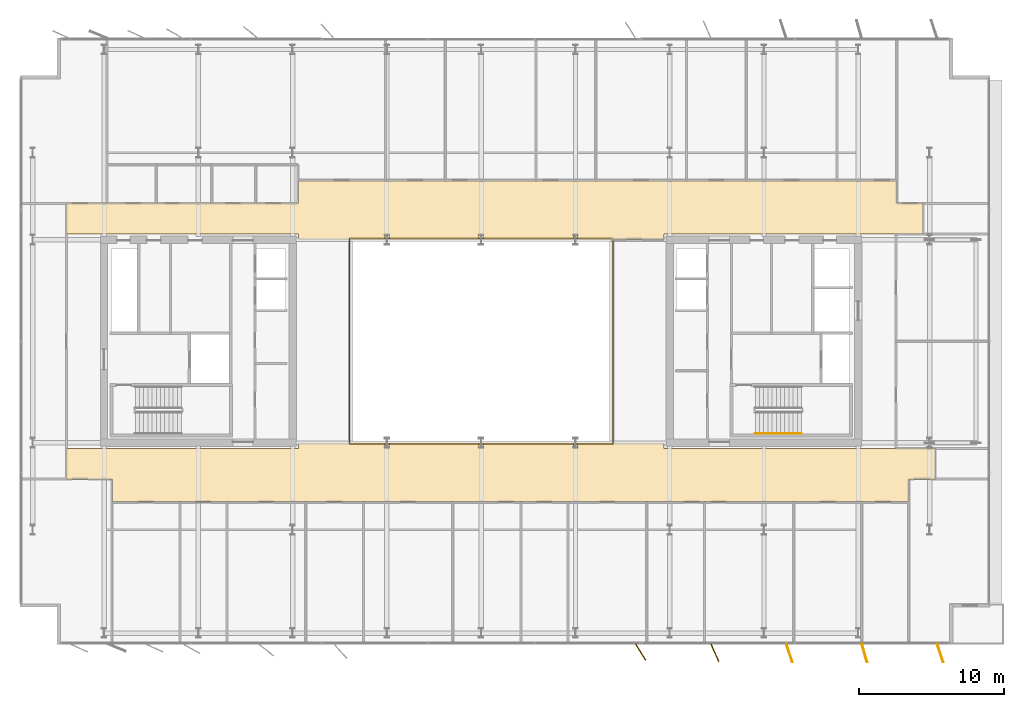
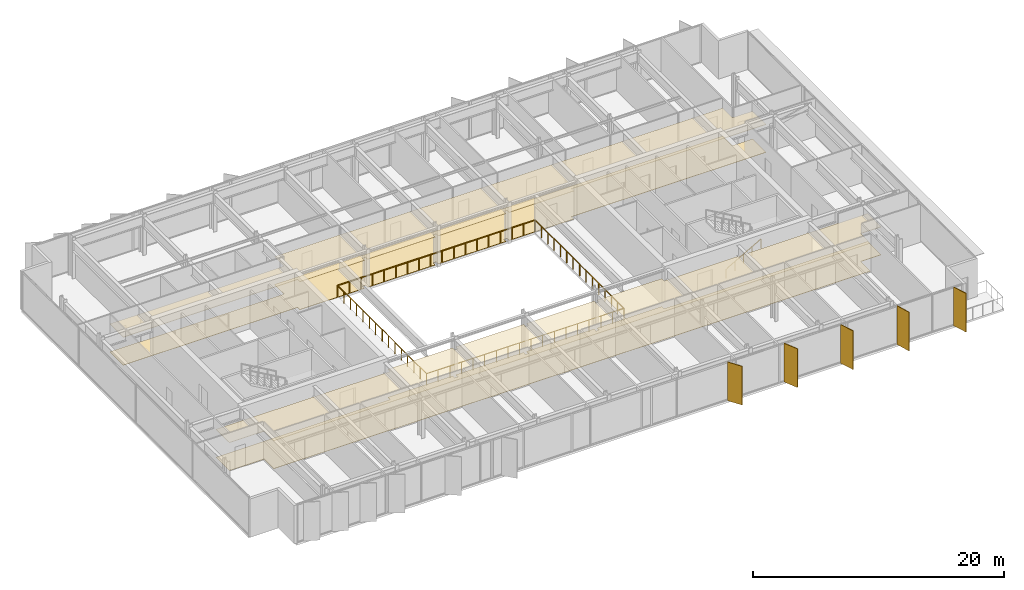
# One storey, part 18 of 20: 5 shading devices, 4 coverings, 3 railings.
"""IFC4 building model written with IfcOpenShell, lengths in metres."""

from ifc_helpers import new_model, si_unit, direction, frame, origin, origin_2d, place, context, subcontext, project, spatial, polyline, rectangle, circle, outline, extrude, material, layer, layer_set, type_object, element, save


model = new_model("IFC4")

# Units and contexts
model_context = context("Model", 3, precision=1e-05, world=origin(), true_north=direction((0.0, 1.0)))
body_context = subcontext(model_context, "Body", "Model", "MODEL_VIEW")
ifc_project = project(units=[si_unit("LENGTHUNIT", "METRE"), si_unit("AREAUNIT", "SQUARE_METRE"), si_unit("VOLUMEUNIT", "CUBIC_METRE"), si_unit("PLANEANGLEUNIT", "RADIAN"), si_unit("MASSUNIT", "GRAM", prefix="KILO")], contexts=[model_context])

# Site, building, storey
site_placement = place(None, origin())
site = spatial("IfcSite", under=ifc_project, at=site_placement, CompositionType="ELEMENT")
building_placement = place(site_placement, origin())
building = spatial("IfcBuilding", under=site, at=building_placement, Name="Putna Gate Headquarters", CompositionType="ELEMENT")
storey_placement = place(building_placement, frame((0.0, 0.0, 306.39990234375)))
storey = spatial("IfcBuildingStorey", under=building, at=storey_placement, Name="L77", CompositionType="ELEMENT", Elevation=306.39990234375)

# Coverings
ifc_material_1 = material(Name="Perforated mineral-fibre acoustic ceiling tile")
ifc_layer_1 = layer(ifc_material_1, 0.0400390625)
ifc_layer_set_1 = layer_set([ifc_layer_1], Name="Perforated mineral-fibre acoustic ceiling tile")
covering_type_1 = type_object("IfcCoveringType", Name="COV-ACOUSTIC-CEILING", PredefinedType="CEILING", material=ifc_layer_set_1)
covering_1_placement = place(storey_placement, frame((0.0, 0.0, 2.710205078125)))
element("IfcCovering", 1, at=covering_1_placement, inside=storey, type_object=covering_type_1, Name="L77 Acoustic Ceiling Covering 1", PredefinedType="CEILING", context=body_context, shape_type="SweptSolid", body=[
    extrude(outline(polyline([(45.360107421875, 33.285888671875), (45.339599609375, 33.285888671875), (45.339599609375, 33.342041015625), (45.660400390625, 33.342041015625), (45.660400390625, 33.285888671875), (45.639892578125, 33.285888671875), (45.639892578125, 33.02001953125), (51.60009765625, 33.02001953125), (51.60009765625, 33.3798828125), (69.4814453125, 33.3798828125), (69.4814453125, 35.52001953125), (67.62158203125, 35.52001953125), (67.62158203125, 37.06005859375), (26.39990234375, 37.06005859375), (26.39990234375, 35.52001953125), (10.3798828125, 35.52001953125), (10.3798828125, 33.3798828125), (26.39990234375, 33.3798828125), (26.39990234375, 33.02001953125), (32.360107421875, 33.02001953125), (32.360107421875, 33.285888671875), (32.339599609375, 33.285888671875), (32.339599609375, 33.342041015625), (32.660400390625, 33.342041015625), (32.660400390625, 33.285888671875), (32.639892578125, 33.285888671875), (32.639892578125, 33.02001953125), (38.860107421875, 33.02001953125), (38.860107421875, 33.285888671875), (38.839599609375, 33.285888671875), (38.839599609375, 33.342041015625), (39.160400390625, 33.342041015625), (39.160400390625, 33.285888671875), (39.139892578125, 33.285888671875), (39.139892578125, 33.02001953125), (45.360107421875, 33.02001953125), (45.360107421875, 33.285888671875)])), origin(), (0.0, 0.0, 1.0), 0.039794921875),
])
covering_2_placement = place(storey_placement, frame((0.0, 0.0, 2.710205078125)))
element("IfcCovering", 2, at=covering_2_placement, inside=storey, type_object=covering_type_1, Name="L77 Acoustic Ceiling Covering 2", PredefinedType="CEILING", context=body_context, shape_type="SweptSolid", body=[
    extrude(outline(polyline([(13.574951171875, 16.47998046875), (13.574951171875, 14.93994140625), (68.4501953125, 14.93994140625), (68.4501953125, 16.47998046875), (70.310302734375, 16.47998046875), (70.310302734375, 18.6201171875), (51.60009765625, 18.6201171875), (51.60009765625, 18.97998046875), (45.639892578125, 18.97998046875), (45.639892578125, 18.714111328125), (45.660400390625, 18.714111328125), (45.660400390625, 18.657958984375), (45.339599609375, 18.657958984375), (45.339599609375, 18.714111328125), (45.360107421875, 18.714111328125), (45.360107421875, 18.97998046875), (39.139892578125, 18.97998046875), (39.139892578125, 18.714111328125), (39.160400390625, 18.714111328125), (39.160400390625, 18.657958984375), (38.839599609375, 18.657958984375), (38.839599609375, 18.714111328125), (38.860107421875, 18.714111328125), (38.860107421875, 18.97998046875), (32.639892578125, 18.97998046875), (32.639892578125, 18.714111328125), (32.660400390625, 18.714111328125), (32.660400390625, 18.657958984375), (32.339599609375, 18.657958984375), (32.339599609375, 18.714111328125), (32.360107421875, 18.714111328125), (32.360107421875, 18.97998046875), (26.39990234375, 18.97998046875), (26.39990234375, 18.6201171875), (10.3798828125, 18.6201171875), (10.3798828125, 16.47998046875), (13.574951171875, 16.47998046875)])), origin(), (0.0, 0.0, 1.0), 0.039794921875),
])
ifc_material_2 = material(Name="Calcium-sulphate raised access floor finish")
ifc_layer_2 = layer(ifc_material_2, 0.030029296875)
ifc_layer_set_2 = layer_set([ifc_layer_2], Name="Calcium-sulphate raised access floor finish")
covering_type_2 = type_object("IfcCoveringType", Name="COV-RAISED-FLOORING", PredefinedType="FLOORING", material=ifc_layer_set_2)
covering_3_placement = place(storey_placement, origin())
element("IfcCovering", 3, at=covering_3_placement, inside=storey, type_object=covering_type_2, Name="L77 Raised Access Floor Covering 1", PredefinedType="FLOORING", context=body_context, shape_type="SweptSolid", body=[
    extrude(outline(polyline([(45.360107421875, 33.285888671875), (45.339599609375, 33.285888671875), (45.339599609375, 33.342041015625), (45.660400390625, 33.342041015625), (45.660400390625, 33.285888671875), (45.639892578125, 33.285888671875), (45.639892578125, 33.02001953125), (51.60009765625, 33.02001953125), (51.60009765625, 33.3798828125), (69.4814453125, 33.3798828125), (69.4814453125, 35.52001953125), (67.62158203125, 35.52001953125), (67.62158203125, 37.06005859375), (26.39990234375, 37.06005859375), (26.39990234375, 35.52001953125), (10.3798828125, 35.52001953125), (10.3798828125, 33.3798828125), (26.39990234375, 33.3798828125), (26.39990234375, 33.02001953125), (32.360107421875, 33.02001953125), (32.360107421875, 33.285888671875), (32.339599609375, 33.285888671875), (32.339599609375, 33.342041015625), (32.660400390625, 33.342041015625), (32.660400390625, 33.285888671875), (32.639892578125, 33.285888671875), (32.639892578125, 33.02001953125), (38.860107421875, 33.02001953125), (38.860107421875, 33.285888671875), (38.839599609375, 33.285888671875), (38.839599609375, 33.342041015625), (39.160400390625, 33.342041015625), (39.160400390625, 33.285888671875), (39.139892578125, 33.285888671875), (39.139892578125, 33.02001953125), (45.360107421875, 33.02001953125), (45.360107421875, 33.285888671875)])), origin(), (0.0, 0.0, 1.0), 0.030029296875),
])
covering_4_placement = place(storey_placement, origin())
element("IfcCovering", 4, at=covering_4_placement, inside=storey, type_object=covering_type_2, Name="L77 Raised Access Floor Covering 2", PredefinedType="FLOORING", context=body_context, shape_type="SweptSolid", body=[
    extrude(outline(polyline([(13.574951171875, 16.47998046875), (13.574951171875, 14.93994140625), (68.4501953125, 14.93994140625), (68.4501953125, 16.47998046875), (70.310302734375, 16.47998046875), (70.310302734375, 18.6201171875), (51.60009765625, 18.6201171875), (51.60009765625, 18.97998046875), (45.639892578125, 18.97998046875), (45.639892578125, 18.714111328125), (45.660400390625, 18.714111328125), (45.660400390625, 18.657958984375), (45.339599609375, 18.657958984375), (45.339599609375, 18.714111328125), (45.360107421875, 18.714111328125), (45.360107421875, 18.97998046875), (39.139892578125, 18.97998046875), (39.139892578125, 18.714111328125), (39.160400390625, 18.714111328125), (39.160400390625, 18.657958984375), (38.839599609375, 18.657958984375), (38.839599609375, 18.714111328125), (38.860107421875, 18.714111328125), (38.860107421875, 18.97998046875), (32.639892578125, 18.97998046875), (32.639892578125, 18.714111328125), (32.660400390625, 18.714111328125), (32.660400390625, 18.657958984375), (32.339599609375, 18.657958984375), (32.339599609375, 18.714111328125), (32.360107421875, 18.714111328125), (32.360107421875, 18.97998046875), (26.39990234375, 18.97998046875), (26.39990234375, 18.6201171875), (10.3798828125, 18.6201171875), (10.3798828125, 16.47998046875), (13.574951171875, 16.47998046875)])), origin(), (0.0, 0.0, 1.0), 0.030029296875),
])

# Railings
ifc_material_3 = material(Name="Anodised bronze and laminated glass atrium balustrade", Category="glass")
railing_type_1 = type_object("IfcRailingType", Name="RAIL-ATRIUM-GUARD-1150", PredefinedType="GUARDRAIL", material=ifc_material_3)
railing_1_placement = place(storey_placement, frame((29.919921875, 25.969970703125, 0.0)))
element("IfcRailing", 5, at=railing_1_placement, inside=storey, type_object=railing_type_1, Name="L77 Central Atrium Glazed Balustrade South", PredefinedType="GUARDRAIL", context=body_context, shape_type="SweptSolid", body=[
    extrude(circle(Radius=0.02392578125, at=origin_2d()), frame((0.0, 0.0, 1.1259765625), z_axis=(0.0, -1.0, 0.0), x_axis=(1.0, 0.0, 0.0)), (0.0, 0.0, 1.0), 7.050048828125),
    extrude(circle(Radius=0.02392578125, at=origin_2d()), frame((0.0, -7.050048828125, 1.1259765625), z_axis=(1.0, 0.0, 0.0), x_axis=(0.0, 1.0, 0.0)), (0.0, 0.0, 1.0), 18.16015625),
    extrude(circle(Radius=0.02392578125, at=origin_2d()), frame((18.16015625, -7.050048828125, 1.1259765625), z_axis=(0.0, 1.0, 0.0), x_axis=(-1.0, 0.0, 0.0)), (0.0, 0.0, 1.0), 7.050048828125),
    extrude(circle(Radius=0.02099609375, at=origin_2d()), origin(), (0.0, 0.0, 1.0), 1.101806640625),
    extrude(circle(Radius=0.02099609375, at=origin_2d()), frame((0.0, -1.007080078125, 0.0)), (0.0, 0.0, 1.0), 1.101806640625),
    extrude(circle(Radius=0.02099609375, at=origin_2d()), frame((0.0, -2.014404296875, 0.0)), (0.0, 0.0, 1.0), 1.101806640625),
    extrude(circle(Radius=0.02099609375, at=origin_2d()), frame((0.0, -3.021484375, 0.0)), (0.0, 0.0, 1.0), 1.101806640625),
    extrude(circle(Radius=0.02099609375, at=origin_2d()), frame((0.0, -4.028564453125, 0.0)), (0.0, 0.0, 1.0), 1.101806640625),
    extrude(circle(Radius=0.02099609375, at=origin_2d()), frame((0.0, -5.03564453125, 0.0)), (0.0, 0.0, 1.0), 1.101806640625),
    extrude(circle(Radius=0.02099609375, at=origin_2d()), frame((0.0, -6.04296875, 0.0)), (0.0, 0.0, 1.0), 1.101806640625),
    extrude(circle(Radius=0.02099609375, at=origin_2d()), frame((0.0, -7.050048828125, 0.0)), (0.0, 0.0, 1.0), 1.101806640625),
    extrude(circle(Radius=0.02099609375, at=origin_2d()), frame((1.068359375, -7.050048828125, 0.0)), (0.0, 0.0, 1.0), 1.101806640625),
    extrude(circle(Radius=0.02099609375, at=origin_2d()), frame((2.136474609375, -7.050048828125, 0.0)), (0.0, 0.0, 1.0), 1.101806640625),
    extrude(circle(Radius=0.02099609375, at=origin_2d()), frame((3.204833984375, -7.050048828125, 0.0)), (0.0, 0.0, 1.0), 1.101806640625),
    extrude(circle(Radius=0.02099609375, at=origin_2d()), frame((4.27294921875, -7.050048828125, 0.0)), (0.0, 0.0, 1.0), 1.101806640625),
    extrude(circle(Radius=0.02099609375, at=origin_2d()), frame((5.34130859375, -7.050048828125, 0.0)), (0.0, 0.0, 1.0), 1.101806640625),
    extrude(circle(Radius=0.02099609375, at=origin_2d()), frame((6.409423828125, -7.050048828125, 0.0)), (0.0, 0.0, 1.0), 1.101806640625),
    extrude(circle(Radius=0.02099609375, at=origin_2d()), frame((7.477783203125, -7.050048828125, 0.0)), (0.0, 0.0, 1.0), 1.101806640625),
    extrude(circle(Radius=0.02099609375, at=origin_2d()), frame((8.5458984375, -7.050048828125, 0.0)), (0.0, 0.0, 1.0), 1.101806640625),
    extrude(circle(Radius=0.02099609375, at=origin_2d()), frame((9.6142578125, -7.050048828125, 0.0)), (0.0, 0.0, 1.0), 1.101806640625),
    extrude(circle(Radius=0.02099609375, at=origin_2d()), frame((10.682373046875, -7.050048828125, 0.0)), (0.0, 0.0, 1.0), 1.101806640625),
    extrude(circle(Radius=0.02099609375, at=origin_2d()), frame((11.750732421875, -7.050048828125, 0.0)), (0.0, 0.0, 1.0), 1.101806640625),
    extrude(circle(Radius=0.02099609375, at=origin_2d()), frame((12.81884765625, -7.050048828125, 0.0)), (0.0, 0.0, 1.0), 1.101806640625),
    extrude(circle(Radius=0.02099609375, at=origin_2d()), frame((13.88720703125, -7.050048828125, 0.0)), (0.0, 0.0, 1.0), 1.101806640625),
    extrude(circle(Radius=0.02099609375, at=origin_2d()), frame((14.955322265625, -7.050048828125, 0.0)), (0.0, 0.0, 1.0), 1.101806640625),
    extrude(circle(Radius=0.02099609375, at=origin_2d()), frame((16.023681640625, -7.050048828125, 0.0)), (0.0, 0.0, 1.0), 1.101806640625),
    extrude(circle(Radius=0.02099609375, at=origin_2d()), frame((17.091796875, -7.050048828125, 0.0)), (0.0, 0.0, 1.0), 1.101806640625),
    extrude(circle(Radius=0.02099609375, at=origin_2d()), frame((18.16015625, -7.050048828125, 0.0)), (0.0, 0.0, 1.0), 1.101806640625),
    extrude(circle(Radius=0.02099609375, at=origin_2d()), frame((18.16015625, -6.04296875, 0.0)), (0.0, 0.0, 1.0), 1.101806640625),
    extrude(circle(Radius=0.02099609375, at=origin_2d()), frame((18.16015625, -5.03564453125, 0.0)), (0.0, 0.0, 1.0), 1.101806640625),
    extrude(circle(Radius=0.02099609375, at=origin_2d()), frame((18.16015625, -4.028564453125, 0.0)), (0.0, 0.0, 1.0), 1.101806640625),
    extrude(circle(Radius=0.02099609375, at=origin_2d()), frame((18.16015625, -3.021484375, 0.0)), (0.0, 0.0, 1.0), 1.101806640625),
    extrude(circle(Radius=0.02099609375, at=origin_2d()), frame((18.16015625, -2.014404296875, 0.0)), (0.0, 0.0, 1.0), 1.101806640625),
    extrude(circle(Radius=0.02099609375, at=origin_2d()), frame((18.16015625, -1.007080078125, 0.0)), (0.0, 0.0, 1.0), 1.101806640625),
    extrude(circle(Radius=0.02099609375, at=origin_2d()), frame((18.16015625, 0.0, 0.0)), (0.0, 0.0, 1.0), 1.101806640625),
])
railing_2_placement = place(storey_placement, frame((48.080078125, 26.030029296875, 0.0)))
element("IfcRailing", 6, at=railing_2_placement, inside=storey, type_object=railing_type_1, Name="L77 Central Atrium Glazed Balustrade North", PredefinedType="GUARDRAIL", context=body_context, shape_type="SweptSolid", body=[
    extrude(circle(Radius=0.02392578125, at=origin_2d()), frame((0.0, 0.0, 1.1259765625), z_axis=(0.0, 1.0, 0.0), x_axis=(-1.0, 0.0, 0.0)), (0.0, 0.0, 1.0), 7.050048828125),
    extrude(circle(Radius=0.02392578125, at=origin_2d()), frame((0.0, 7.050048828125, 1.1259765625), z_axis=(-1.0, 0.0, 0.0), x_axis=(0.0, -1.0, 0.0)), (0.0, 0.0, 1.0), 18.16015625),
    extrude(circle(Radius=0.02392578125, at=origin_2d()), frame((-18.16015625, 7.050048828125, 1.1259765625), z_axis=(0.0, -1.0, 0.0), x_axis=(1.0, 0.0, 0.0)), (0.0, 0.0, 1.0), 7.050048828125),
    extrude(circle(Radius=0.02099609375, at=origin_2d()), origin(), (0.0, 0.0, 1.0), 1.101806640625),
    extrude(circle(Radius=0.02099609375, at=origin_2d()), frame((0.0, 1.007080078125, 0.0)), (0.0, 0.0, 1.0), 1.101806640625),
    extrude(circle(Radius=0.02099609375, at=origin_2d()), frame((0.0, 2.014404296875, 0.0)), (0.0, 0.0, 1.0), 1.101806640625),
    extrude(circle(Radius=0.02099609375, at=origin_2d()), frame((0.0, 3.021484375, 0.0)), (0.0, 0.0, 1.0), 1.101806640625),
    extrude(circle(Radius=0.02099609375, at=origin_2d()), frame((0.0, 4.028564453125, 0.0)), (0.0, 0.0, 1.0), 1.101806640625),
    extrude(circle(Radius=0.02099609375, at=origin_2d()), frame((0.0, 5.03564453125, 0.0)), (0.0, 0.0, 1.0), 1.101806640625),
    extrude(circle(Radius=0.02099609375, at=origin_2d()), frame((0.0, 6.04296875, 0.0)), (0.0, 0.0, 1.0), 1.101806640625),
    extrude(circle(Radius=0.02099609375, at=origin_2d()), frame((0.0, 7.050048828125, 0.0)), (0.0, 0.0, 1.0), 1.101806640625),
    extrude(circle(Radius=0.02099609375, at=origin_2d()), frame((-1.068359375, 7.050048828125, 0.0)), (0.0, 0.0, 1.0), 1.101806640625),
    extrude(circle(Radius=0.02099609375, at=origin_2d()), frame((-2.136474609375, 7.050048828125, 0.0)), (0.0, 0.0, 1.0), 1.101806640625),
    extrude(circle(Radius=0.02099609375, at=origin_2d()), frame((-3.204833984375, 7.050048828125, 0.0)), (0.0, 0.0, 1.0), 1.101806640625),
    extrude(circle(Radius=0.02099609375, at=origin_2d()), frame((-4.27294921875, 7.050048828125, 0.0)), (0.0, 0.0, 1.0), 1.101806640625),
    extrude(circle(Radius=0.02099609375, at=origin_2d()), frame((-5.34130859375, 7.050048828125, 0.0)), (0.0, 0.0, 1.0), 1.101806640625),
    extrude(circle(Radius=0.02099609375, at=origin_2d()), frame((-6.409423828125, 7.050048828125, 0.0)), (0.0, 0.0, 1.0), 1.101806640625),
    extrude(circle(Radius=0.02099609375, at=origin_2d()), frame((-7.477783203125, 7.050048828125, 0.0)), (0.0, 0.0, 1.0), 1.101806640625),
    extrude(circle(Radius=0.02099609375, at=origin_2d()), frame((-8.5458984375, 7.050048828125, 0.0)), (0.0, 0.0, 1.0), 1.101806640625),
    extrude(circle(Radius=0.02099609375, at=origin_2d()), frame((-9.6142578125, 7.050048828125, 0.0)), (0.0, 0.0, 1.0), 1.101806640625),
    extrude(circle(Radius=0.02099609375, at=origin_2d()), frame((-10.682373046875, 7.050048828125, 0.0)), (0.0, 0.0, 1.0), 1.101806640625),
    extrude(circle(Radius=0.02099609375, at=origin_2d()), frame((-11.750732421875, 7.050048828125, 0.0)), (0.0, 0.0, 1.0), 1.101806640625),
    extrude(circle(Radius=0.02099609375, at=origin_2d()), frame((-12.81884765625, 7.050048828125, 0.0)), (0.0, 0.0, 1.0), 1.101806640625),
    extrude(circle(Radius=0.02099609375, at=origin_2d()), frame((-13.88720703125, 7.050048828125, 0.0)), (0.0, 0.0, 1.0), 1.101806640625),
    extrude(circle(Radius=0.02099609375, at=origin_2d()), frame((-14.955322265625, 7.050048828125, 0.0)), (0.0, 0.0, 1.0), 1.101806640625),
    extrude(circle(Radius=0.02099609375, at=origin_2d()), frame((-16.023681640625, 7.050048828125, 0.0)), (0.0, 0.0, 1.0), 1.101806640625),
    extrude(circle(Radius=0.02099609375, at=origin_2d()), frame((-17.091796875, 7.050048828125, 0.0)), (0.0, 0.0, 1.0), 1.101806640625),
    extrude(circle(Radius=0.02099609375, at=origin_2d()), frame((-18.16015625, 7.050048828125, 0.0)), (0.0, 0.0, 1.0), 1.101806640625),
    extrude(circle(Radius=0.02099609375, at=origin_2d()), frame((-18.16015625, 6.04296875, 0.0)), (0.0, 0.0, 1.0), 1.101806640625),
    extrude(circle(Radius=0.02099609375, at=origin_2d()), frame((-18.16015625, 5.03564453125, 0.0)), (0.0, 0.0, 1.0), 1.101806640625),
    extrude(circle(Radius=0.02099609375, at=origin_2d()), frame((-18.16015625, 4.028564453125, 0.0)), (0.0, 0.0, 1.0), 1.101806640625),
    extrude(circle(Radius=0.02099609375, at=origin_2d()), frame((-18.16015625, 3.021484375, 0.0)), (0.0, 0.0, 1.0), 1.101806640625),
    extrude(circle(Radius=0.02099609375, at=origin_2d()), frame((-18.16015625, 2.014404296875, 0.0)), (0.0, 0.0, 1.0), 1.101806640625),
    extrude(circle(Radius=0.02099609375, at=origin_2d()), frame((-18.16015625, 1.007080078125, 0.0)), (0.0, 0.0, 1.0), 1.101806640625),
    extrude(circle(Radius=0.02099609375, at=origin_2d()), frame((-18.16015625, 0.0, 0.0)), (0.0, 0.0, 1.0), 1.101806640625),
])
ifc_material_4 = material(Name="Brushed stainless steel handrail", Category="steel")
railing_type_2 = type_object("IfcRailingType", Name="RAIL-STAIR-HAND-900", PredefinedType="HANDRAIL", material=ifc_material_4)
railing_3_placement = place(storey_placement, frame((57.89990234375, 19.64990234375, 0.166748046875)))
element("IfcRailing", 7, at=railing_3_placement, inside=storey, type_object=railing_type_2, Name="L77 ST2 stair handrail 1", PredefinedType="HANDRAIL", context=body_context, shape_type="SweptSolid", body=[
    extrude(circle(Radius=0.02392578125, at=origin_2d()), frame((0.0, 0.0, 0.8759765625), z_axis=(0.8670360191, 0.0, 0.498245463184), x_axis=(0.0, 1.0, 0.0)), (0.0, 0.0, 1.0), 3.679443359375),
    extrude(circle(Radius=0.02099609375, at=origin_2d()), origin(), (0.0, 0.0, 1.0), 0.851806640625),
    extrude(circle(Radius=0.02099609375, at=origin_2d()), frame((0.797607421875, 0.0, 0.458251953125)), (0.0, 0.0, 1.0), 0.851806640625),
    extrude(circle(Radius=0.02099609375, at=origin_2d()), frame((1.59521484375, 0.0, 0.91650390625)), (0.0, 0.0, 1.0), 0.851806640625),
    extrude(circle(Radius=0.02099609375, at=origin_2d()), frame((2.392578125, 0.0, 1.375)), (0.0, 0.0, 1.0), 0.851806640625),
    extrude(circle(Radius=0.02099609375, at=origin_2d()), frame((3.190185546875, 0.0, 1.833251953125)), (0.0, 0.0, 1.0), 0.851806640625),
])

# Shading devices
ifc_material_5 = material(Name="Anodised architectural bronze aluminium fin", Category="aluminium")
ifc_layer_3 = layer(ifc_material_5, 0.06494140625)
ifc_layer_set_3 = layer_set([ifc_layer_3], Name="Anodised architectural bronze aluminium fin")
shading_device_type = type_object("IfcShadingDeviceType", Name="SHADE-BRONZE-FIN-1320", PredefinedType="USERDEFINED", material=ifc_layer_set_3)
for number, where, z_axis, x_axis, name in (
    (8, (50.000244140625, 4.565673828125, -0.02001953125), (0.0, 0.0, 1.0), (0.530659123936, -0.847585331506, 0.0), "L77 Bronze Vertical Shading Fin S7"),
    (9, (55.114501953125, 4.520263671875, -0.02001953125), (0.0, 0.0, 1.0), (0.400668879095, -0.916222925562, 0.0), "L77 Bronze Vertical Shading Fin S8"),
    (10, (60.253662109375, 4.497314453125, -0.02001953125), (0.0, 0.0, 1.0), (0.308684994204, -0.951164325631, 0.0), "L77 Bronze Vertical Shading Fin S9"),
    (11, (65.431884765625, 4.490478515625, -0.02001953125), (0.0, 0.0, 1.0), (0.275637355817, -0.961261695938, 0.0), "L77 Bronze Vertical Shading Fin S10"),
    (12, (70.65380859375, 4.497314453125, -0.02001953125), (0.0, 0.0, 1.0), (0.308684994204, -0.951164325631, 0.0), "L77 Bronze Vertical Shading Fin S11"),
):
    element("IfcShadingDevice", number, at=place(storey_placement, frame(where, z_axis=z_axis, x_axis=x_axis)), inside=storey, type_object=shading_device_type, Name=name, ObjectType="FIN", PredefinedType="USERDEFINED", context=body_context, shape_type="SweptSolid", body=[
        extrude(rectangle(XDim=1.320068359375, YDim=0.06494140625, at=origin_2d()), origin(), (0.0, 0.0, 1.0), 3.760009765625),
    ])

save(model, "model.ifc")
